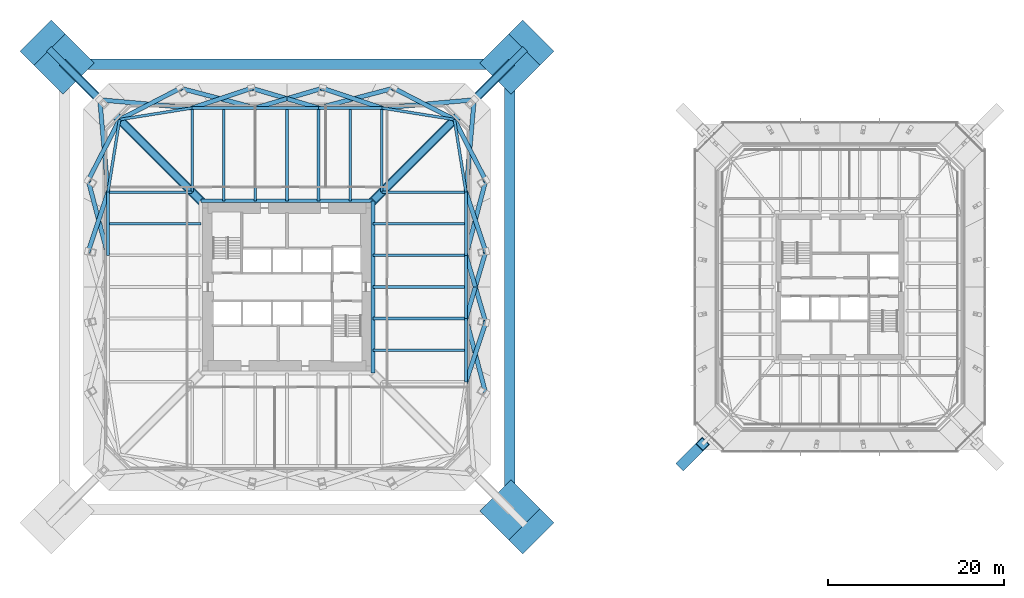
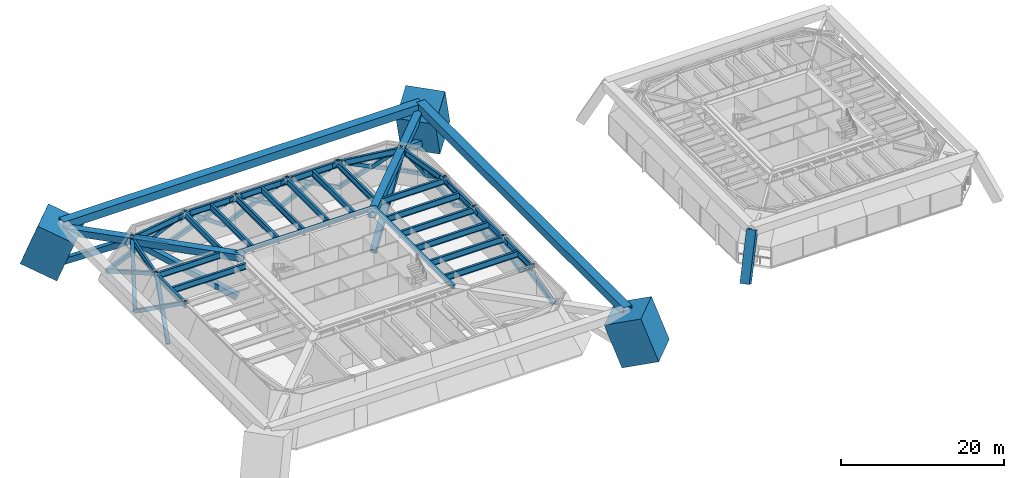
# One storey, part 3 of 16: 36 members, 28 beams.
"""IFC4 building model written with IfcOpenShell, lengths in metres."""

from ifc_helpers import new_model, si_unit, direction, frame, origin, origin_2d, place, context, subcontext, project, spatial, rectangle, hollow_rectangle, i_section, extrude, material, material_profile, profile_set, type_object, element, save


model = new_model("IFC4")

# Units and contexts
model_context = context("Model", 3, precision=1e-05, world=origin(), true_north=direction((0.0, 1.0)))
body_context = subcontext(model_context, "Body", "Model", "MODEL_VIEW")
ifc_project = project(units=[si_unit("LENGTHUNIT", "METRE"), si_unit("AREAUNIT", "SQUARE_METRE"), si_unit("VOLUMEUNIT", "CUBIC_METRE"), si_unit("PLANEANGLEUNIT", "RADIAN"), si_unit("MASSUNIT", "GRAM", prefix="KILO")], contexts=[model_context])

# Site, building, storey
site_placement = place(None, origin())
site = spatial("IfcSite", under=ifc_project, at=site_placement, CompositionType="ELEMENT")
building_placement = place(site_placement, origin())
building = spatial("IfcBuilding", under=site, at=building_placement, Name="Iwan Alto Co-Living Towers", CompositionType="ELEMENT")
storey_placement = place(building_placement, frame((0.0, 0.0, 74.5)))
storey = spatial("IfcBuildingStorey", under=building, at=storey_placement, Name="L20", CompositionType="ELEMENT", Elevation=74.5)

# Beams
ifc_material_1 = material(Name="Steel ASTM A992 Gr 50", Category="steel")
ifc_material_profile_1 = material_profile(ifc_material_1, i_section(OverallWidth=0.307373046875, OverallDepth=0.927001953125, WebThickness=0.01953125, FlangeThickness=0.031982421875, at=origin_2d()), Name="W36X194")
ifc_profile_set_1 = profile_set([ifc_material_profile_1], Name="Steel ASTM A992 Gr 50")
beam_type_1 = type_object("IfcBeamType", Name="T1 BELT TRUSS CHORD W36X194", PredefinedType="BEAM", material=ifc_profile_set_1)
beam_1_placement = place(storey_placement, frame((20.39990234375, -10.800048828125, 5.306396484375), z_axis=(0.0, 1.0, 0.0), x_axis=(-1.0, 0.0, 0.0)))
element("IfcBeam", 1, at=beam_1_placement, inside=storey, type_object=beam_type_1, Name="T1 edge beam E1 L21", PredefinedType="BEAM", context=body_context, shape_type="SweptSolid", body=[
    extrude(i_section(OverallWidth=0.307373046875, OverallDepth=0.927001953125, WebThickness=0.01953125, FlangeThickness=0.031982421875, at=origin_2d()), origin(), (0.0, 0.0, 1.0), 7.199951171875),
])
beam_2_placement = place(storey_placement, frame((20.39990234375, -3.60009765625, 5.306396484375), z_axis=(0.0, 1.0, 0.0), x_axis=(-1.0, 0.0, 0.0)))
element("IfcBeam", 2, at=beam_2_placement, inside=storey, type_object=beam_type_1, Name="T1 edge beam E2 L21", PredefinedType="BEAM", context=body_context, shape_type="SweptSolid", body=[
    extrude(i_section(OverallWidth=0.307373046875, OverallDepth=0.927001953125, WebThickness=0.01953125, FlangeThickness=0.031982421875, at=origin_2d()), origin(), (0.0, 0.0, 1.0), 7.2001953125),
])
beam_3_placement = place(storey_placement, frame((20.39990234375, 3.60009765625, 5.306396484375), z_axis=(0.0, 1.0, 0.0), x_axis=(-1.0, 0.0, 0.0)))
element("IfcBeam", 3, at=beam_3_placement, inside=storey, type_object=beam_type_1, Name="T1 edge beam E3 L21", PredefinedType="BEAM", context=body_context, shape_type="SweptSolid", body=[
    extrude(i_section(OverallWidth=0.307373046875, OverallDepth=0.927001953125, WebThickness=0.01953125, FlangeThickness=0.031982421875, at=origin_2d()), origin(), (0.0, 0.0, 1.0), 7.199951171875),
])
for number, where, z_axis, x_axis, name in (
    (4, (20.39990234375, 10.800048828125, 5.306396484375), (-0.158004134737, 0.987438450439, 0.0), (-0.987438450439, -0.158004134737, 0.0), "T1 edge beam E4 L21"),
    (5, (19.07568359375, 19.07568359375, 5.306396484375), (-0.987438450439, 0.158004134737, 0.0), (-0.158004134737, -0.987438450439, 0.0), "T1 edge beam CNE L21"),
):
    element("IfcBeam", number, at=place(storey_placement, frame(where, z_axis=z_axis, x_axis=x_axis)), inside=storey, type_object=beam_type_1, Name=name, PredefinedType="BEAM", context=body_context, shape_type="SweptSolid", body=[
        extrude(i_section(OverallWidth=0.307373046875, OverallDepth=0.927001953125, WebThickness=0.01953125, FlangeThickness=0.031982421875, at=origin_2d()), origin(), (0.0, 0.0, 1.0), 8.380859375),
    ])
beam_4_placement = place(storey_placement, frame((10.800048828125, 20.39990234375, 5.306396484375), z_axis=(-1.0, 0.0, 0.0), x_axis=(0.0, -1.0, 0.0)))
element("IfcBeam", 6, at=beam_4_placement, inside=storey, type_object=beam_type_1, Name="T1 edge beam N1 L21", PredefinedType="BEAM", context=body_context, shape_type="SweptSolid", body=[
    extrude(i_section(OverallWidth=0.307373046875, OverallDepth=0.927001953125, WebThickness=0.01953125, FlangeThickness=0.031982421875, at=origin_2d()), origin(), (0.0, 0.0, 1.0), 7.199951171875),
])
beam_5_placement = place(storey_placement, frame((3.60009765625, 20.39990234375, 5.306396484375), z_axis=(-1.0, 0.0, 0.0), x_axis=(0.0, -1.0, 0.0)))
element("IfcBeam", 7, at=beam_5_placement, inside=storey, type_object=beam_type_1, Name="T1 edge beam N2 L21", PredefinedType="BEAM", context=body_context, shape_type="SweptSolid", body=[
    extrude(i_section(OverallWidth=0.307373046875, OverallDepth=0.927001953125, WebThickness=0.01953125, FlangeThickness=0.031982421875, at=origin_2d()), origin(), (0.0, 0.0, 1.0), 7.2001953125),
])
beam_6_placement = place(storey_placement, frame((-3.60009765625, 20.39990234375, 5.306396484375), z_axis=(-1.0, 0.0, 0.0), x_axis=(0.0, -1.0, 0.0)))
element("IfcBeam", 8, at=beam_6_placement, inside=storey, type_object=beam_type_1, Name="T1 edge beam N3 L21", PredefinedType="BEAM", context=body_context, shape_type="SweptSolid", body=[
    extrude(i_section(OverallWidth=0.307373046875, OverallDepth=0.927001953125, WebThickness=0.01953125, FlangeThickness=0.031982421875, at=origin_2d()), origin(), (0.0, 0.0, 1.0), 7.199951171875),
])
for number, where, z_axis, x_axis, name in (
    (9, (-10.800048828125, 20.39990234375, 5.306396484375), (-0.987438450439, -0.158004134737, 0.0), (0.158004134737, -0.987438450439, 0.0), "T1 edge beam N4 L21"),
    (10, (-19.07568359375, 19.07568359375, 5.306396484375), (-0.158004134737, -0.987438450439, 0.0), (0.987438450439, -0.158004134737, 0.0), "T1 edge beam CNW L21"),
):
    element("IfcBeam", number, at=place(storey_placement, frame(where, z_axis=z_axis, x_axis=x_axis)), inside=storey, type_object=beam_type_1, Name=name, PredefinedType="BEAM", context=body_context, shape_type="SweptSolid", body=[
        extrude(i_section(OverallWidth=0.307373046875, OverallDepth=0.927001953125, WebThickness=0.01953125, FlangeThickness=0.031982421875, at=origin_2d()), origin(), (0.0, 0.0, 1.0), 8.380859375),
    ])
beam_7_placement = place(storey_placement, frame((-20.39990234375, 10.800048828125, 5.306396484375), z_axis=(0.0, -1.0, 0.0), x_axis=(1.0, 0.0, 0.0)))
element("IfcBeam", 11, at=beam_7_placement, inside=storey, type_object=beam_type_1, Name="T1 edge beam W1 L21", PredefinedType="BEAM", context=body_context, shape_type="SweptSolid", body=[
    extrude(i_section(OverallWidth=0.307373046875, OverallDepth=0.927001953125, WebThickness=0.01953125, FlangeThickness=0.031982421875, at=origin_2d()), origin(), (0.0, 0.0, 1.0), 7.199951171875),
])

# Members
ifc_material_2 = material(Name="Steel ASTM A572 Gr 50", Category="steel")
ifc_material_profile_2 = material_profile(ifc_material_2, hollow_rectangle(XDim=0.5, YDim=0.5, WallThickness=0.031982421875, at=origin_2d()), Name="BOX 500X500X32")
ifc_profile_set_2 = profile_set([ifc_material_profile_2], Name="Steel ASTM A572 Gr 50")
member_type_1 = type_object("IfcMemberType", Name="T1 BELT TRUSS DIAGONAL BOX 500X500X32", PredefinedType="BRACE", material=ifc_profile_set_2)
member_1_placement = place(storey_placement, frame((22.64990234375, -12.14990234375, 0.0), z_axis=(-0.213896975302, 0.812789938701, 0.54186769557), x_axis=(-0.967073106425, -0.254498736402, 0.0)))
element("IfcMember", 12, at=member_1_placement, inside=storey, type_object=member_type_1, Name="T1 belt truss diagonal E1 L20 1", PredefinedType="BRACE", context=body_context, shape_type="SweptSolid", body=[
    extrude(hollow_rectangle(XDim=0.5, YDim=0.5, WallThickness=0.031982421875, at=origin_2d()), origin(), (0.0, 0.0, 1.0), 10.51904296875),
])
member_2_placement = place(storey_placement, frame((22.64990234375, -4.050048828125, 0.0), z_axis=(-0.246799495612, -0.740398486837, 0.625220032993), x_axis=(0.948683298051, -0.316227766017, 0.0)))
element("IfcMember", 13, at=member_2_placement, inside=storey, type_object=member_type_1, Name="T1 belt truss diagonal E1 L20 2", PredefinedType="BRACE", context=body_context, shape_type="SweptSolid", body=[
    extrude(hollow_rectangle(XDim=0.5, YDim=0.5, WallThickness=0.031982421875, at=origin_2d()), origin(), (0.0, 0.0, 1.0), 9.11669921875),
])
for number, where, z_axis, x_axis, name in (
    (14, (22.64990234375, -4.050048828125, 0.0), (-0.229548000462, 0.780478146102, 0.58151661966), (-0.959366964128, -0.28216135125, 0.0), "T1 belt truss diagonal E2 L20 1"),
    (15, (22.64990234375, 4.050048828125, 0.0), (-0.229548000462, -0.780478146102, 0.58151661966), (0.959366964128, -0.28216135125, 0.0), "T1 belt truss diagonal E2 L20 2"),
):
    element("IfcMember", number, at=place(storey_placement, frame(where, z_axis=z_axis, x_axis=x_axis)), inside=storey, type_object=member_type_1, Name=name, PredefinedType="BRACE", context=body_context, shape_type="SweptSolid", body=[
        extrude(hollow_rectangle(XDim=0.5, YDim=0.5, WallThickness=0.031982421875, at=origin_2d()), origin(), (0.0, 0.0, 1.0), 9.8017578125),
    ])
member_3_placement = place(storey_placement, frame((22.64990234375, 4.050048828125, 0.0), z_axis=(-0.246799495612, 0.740398486837, 0.625220032993), x_axis=(-0.948683298051, -0.316227766017, 0.0)))
element("IfcMember", 16, at=member_3_placement, inside=storey, type_object=member_type_1, Name="T1 belt truss diagonal E3 L20 1", PredefinedType="BRACE", context=body_context, shape_type="SweptSolid", body=[
    extrude(hollow_rectangle(XDim=0.5, YDim=0.5, WallThickness=0.031982421875, at=origin_2d()), origin(), (0.0, 0.0, 1.0), 9.11669921875),
])
member_4_placement = place(storey_placement, frame((22.64990234375, 12.14990234375, 0.0), z_axis=(-0.213896975302, -0.812789938701, 0.54186769557), x_axis=(0.967073106425, -0.254498736402, 0.0)))
element("IfcMember", 17, at=member_4_placement, inside=storey, type_object=member_type_1, Name="T1 belt truss diagonal E3 L20 2", PredefinedType="BRACE", context=body_context, shape_type="SweptSolid", body=[
    extrude(hollow_rectangle(XDim=0.5, YDim=0.5, WallThickness=0.031982421875, at=origin_2d()), origin(), (0.0, 0.0, 1.0), 10.51904296875),
])
member_5_placement = place(storey_placement, frame((22.64990234375, 12.14990234375, 0.0), z_axis=(-0.370169918191, 0.717280070987, 0.590324937159), x_axis=(-0.888640424469, -0.458604618381, 0.0)))
element("IfcMember", 18, at=member_5_placement, inside=storey, type_object=member_type_1, Name="T1 belt truss diagonal E4 L20 1", PredefinedType="BRACE", context=body_context, shape_type="SweptSolid", body=[
    extrude(hollow_rectangle(XDim=0.5, YDim=0.5, WallThickness=0.031982421875, at=origin_2d()), origin(), (0.0, 0.0, 1.0), 9.655517578125),
])
for number, where, z_axis, x_axis, name in (
    (19, (21.32568359375, 21.32568359375, 0.0), (-0.077112165425, -0.876723836493, 0.474772607116), (0.996154265786, -0.087616657989, 0.0), "T1 belt truss diagonal E4 L20 2"),
    (20, (21.32568359375, 21.32568359375, 0.0), (-0.876723836493, -0.077112165425, 0.474772607116), (0.087616657989, -0.996154265786, 0.0), "T1 belt truss diagonal CNE L20 1"),
):
    element("IfcMember", number, at=place(storey_placement, frame(where, z_axis=z_axis, x_axis=x_axis)), inside=storey, type_object=member_type_1, Name=name, PredefinedType="BRACE", context=body_context, shape_type="SweptSolid", body=[
        extrude(hollow_rectangle(XDim=0.5, YDim=0.5, WallThickness=0.031982421875, at=origin_2d()), origin(), (0.0, 0.0, 1.0), 12.005615234375),
    ])
member_6_placement = place(storey_placement, frame((12.14990234375, 22.64990234375, 0.0), z_axis=(0.717280070987, -0.370169918191, 0.590324937159), x_axis=(0.458604618381, 0.888640424469, 0.0)))
element("IfcMember", 21, at=member_6_placement, inside=storey, type_object=member_type_1, Name="T1 belt truss diagonal CNE L20 2", PredefinedType="BRACE", context=body_context, shape_type="SweptSolid", body=[
    extrude(hollow_rectangle(XDim=0.5, YDim=0.5, WallThickness=0.031982421875, at=origin_2d()), origin(), (0.0, 0.0, 1.0), 9.655517578125),
])
member_7_placement = place(storey_placement, frame((12.14990234375, 22.64990234375, 0.0), z_axis=(-0.812789938701, -0.213896975302, 0.54186769557), x_axis=(0.254498736402, -0.967073106425, 0.0)))
element("IfcMember", 22, at=member_7_placement, inside=storey, type_object=member_type_1, Name="T1 belt truss diagonal N1 L20 1", PredefinedType="BRACE", context=body_context, shape_type="SweptSolid", body=[
    extrude(hollow_rectangle(XDim=0.5, YDim=0.5, WallThickness=0.031982421875, at=origin_2d()), origin(), (0.0, 0.0, 1.0), 10.51904296875),
])
member_8_placement = place(storey_placement, frame((4.050048828125, 22.64990234375, 0.0), z_axis=(0.740398486837, -0.246799495612, 0.625220032993), x_axis=(0.316227766017, 0.948683298051, 0.0)))
element("IfcMember", 23, at=member_8_placement, inside=storey, type_object=member_type_1, Name="T1 belt truss diagonal N1 L20 2", PredefinedType="BRACE", context=body_context, shape_type="SweptSolid", body=[
    extrude(hollow_rectangle(XDim=0.5, YDim=0.5, WallThickness=0.031982421875, at=origin_2d()), origin(), (0.0, 0.0, 1.0), 9.11669921875),
])
for number, where, z_axis, x_axis, name in (
    (24, (4.050048828125, 22.64990234375, 0.0), (-0.780478146102, -0.229548000462, 0.58151661966), (0.28216135125, -0.959366964128, 0.0), "T1 belt truss diagonal N2 L20 1"),
    (25, (-4.050048828125, 22.64990234375, 0.0), (0.780478146102, -0.229548000462, 0.58151661966), (0.28216135125, 0.959366964128, 0.0), "T1 belt truss diagonal N2 L20 2"),
):
    element("IfcMember", number, at=place(storey_placement, frame(where, z_axis=z_axis, x_axis=x_axis)), inside=storey, type_object=member_type_1, Name=name, PredefinedType="BRACE", context=body_context, shape_type="SweptSolid", body=[
        extrude(hollow_rectangle(XDim=0.5, YDim=0.5, WallThickness=0.031982421875, at=origin_2d()), origin(), (0.0, 0.0, 1.0), 9.8017578125),
    ])
member_9_placement = place(storey_placement, frame((-4.050048828125, 22.64990234375, 0.0), z_axis=(-0.740398486837, -0.246799495612, 0.625220032993), x_axis=(0.316227766017, -0.948683298051, 0.0)))
element("IfcMember", 26, at=member_9_placement, inside=storey, type_object=member_type_1, Name="T1 belt truss diagonal N3 L20 1", PredefinedType="BRACE", context=body_context, shape_type="SweptSolid", body=[
    extrude(hollow_rectangle(XDim=0.5, YDim=0.5, WallThickness=0.031982421875, at=origin_2d()), origin(), (0.0, 0.0, 1.0), 9.11669921875),
])
member_10_placement = place(storey_placement, frame((-12.14990234375, 22.64990234375, 0.0), z_axis=(0.812789938701, -0.213896975302, 0.54186769557), x_axis=(0.254498736402, 0.967073106425, 0.0)))
element("IfcMember", 27, at=member_10_placement, inside=storey, type_object=member_type_1, Name="T1 belt truss diagonal N3 L20 2", PredefinedType="BRACE", context=body_context, shape_type="SweptSolid", body=[
    extrude(hollow_rectangle(XDim=0.5, YDim=0.5, WallThickness=0.031982421875, at=origin_2d()), origin(), (0.0, 0.0, 1.0), 10.51904296875),
])
member_11_placement = place(storey_placement, frame((-12.14990234375, 22.64990234375, 0.0), z_axis=(-0.717280070987, -0.370169918191, 0.590324937159), x_axis=(0.458604618381, -0.888640424469, 0.0)))
element("IfcMember", 28, at=member_11_placement, inside=storey, type_object=member_type_1, Name="T1 belt truss diagonal N4 L20 1", PredefinedType="BRACE", context=body_context, shape_type="SweptSolid", body=[
    extrude(hollow_rectangle(XDim=0.5, YDim=0.5, WallThickness=0.031982421875, at=origin_2d()), origin(), (0.0, 0.0, 1.0), 9.655517578125),
])
for number, where, z_axis, x_axis, name in (
    (29, (-21.32568359375, 21.32568359375, 0.0), (0.876723836493, -0.077112165425, 0.474772607116), (0.087616657989, 0.996154265786, 0.0), "T1 belt truss diagonal N4 L20 2"),
    (30, (-21.32568359375, 21.32568359375, 0.0), (0.077112165425, -0.876723836493, 0.474772607116), (0.996154265786, 0.087616657989, 0.0), "T1 belt truss diagonal CNW L20 1"),
):
    element("IfcMember", number, at=place(storey_placement, frame(where, z_axis=z_axis, x_axis=x_axis)), inside=storey, type_object=member_type_1, Name=name, PredefinedType="BRACE", context=body_context, shape_type="SweptSolid", body=[
        extrude(hollow_rectangle(XDim=0.5, YDim=0.5, WallThickness=0.031982421875, at=origin_2d()), origin(), (0.0, 0.0, 1.0), 12.005615234375),
    ])
member_12_placement = place(storey_placement, frame((-22.64990234375, 12.14990234375, 0.0), z_axis=(0.370169918191, 0.717280070987, 0.590324937159), x_axis=(-0.888640424469, 0.458604618381, 0.0)))
element("IfcMember", 31, at=member_12_placement, inside=storey, type_object=member_type_1, Name="T1 belt truss diagonal CNW L20 2", PredefinedType="BRACE", context=body_context, shape_type="SweptSolid", body=[
    extrude(hollow_rectangle(XDim=0.5, YDim=0.5, WallThickness=0.031982421875, at=origin_2d()), origin(), (0.0, 0.0, 1.0), 9.655517578125),
])
member_13_placement = place(storey_placement, frame((-22.64990234375, 12.14990234375, 0.0), z_axis=(0.213896975302, -0.812789938701, 0.54186769557), x_axis=(0.967073106425, 0.254498736402, 0.0)))
element("IfcMember", 32, at=member_13_placement, inside=storey, type_object=member_type_1, Name="T1 belt truss diagonal W1 L20 1", PredefinedType="BRACE", context=body_context, shape_type="SweptSolid", body=[
    extrude(hollow_rectangle(XDim=0.5, YDim=0.5, WallThickness=0.031982421875, at=origin_2d()), origin(), (0.0, 0.0, 1.0), 10.51904296875),
])
member_14_placement = place(storey_placement, frame((-22.64990234375, 4.050048828125, 0.0), z_axis=(0.246799495612, 0.740398486837, 0.625220032993), x_axis=(-0.948683298051, 0.316227766017, 0.0)))
element("IfcMember", 33, at=member_14_placement, inside=storey, type_object=member_type_1, Name="T1 belt truss diagonal W1 L20 2", PredefinedType="BRACE", context=body_context, shape_type="SweptSolid", body=[
    extrude(hollow_rectangle(XDim=0.5, YDim=0.5, WallThickness=0.031982421875, at=origin_2d()), origin(), (0.0, 0.0, 1.0), 9.11669921875),
])

# Beams
ifc_material_3 = material(Name="Steel ASTM A992 Gr 50", Category="steel")
ifc_material_profile_3 = material_profile(ifc_material_3, i_section(OverallWidth=0.436767578125, OverallDepth=0.51318359375, WebThickness=0.060546875, FlangeThickness=0.096923828125, at=origin_2d()), Name="W14X550")
ifc_profile_set_3 = profile_set([ifc_material_profile_3], Name="Steel ASTM A992 Gr 50")
beam_type_2 = type_object("IfcBeamType", Name="T1 CORE LEDGER BEAM W14X550", PredefinedType="BEAM", material=ifc_profile_set_3)
for number, where, z_axis, x_axis, name in (
    (34, (9.818359375, -9.818359375, 5.513427734375), (0.0, 1.0, 0.0), (-1.0, 0.0, 0.0), "T1 core ledger beam E L21"),
    (35, (9.818359375, 9.818359375, 5.513427734375), (-1.0, 0.0, 0.0), (0.0, -1.0, 0.0), "T1 core ledger beam N L21"),
):
    element("IfcBeam", number, at=place(storey_placement, frame(where, z_axis=z_axis, x_axis=x_axis)), inside=storey, type_object=beam_type_2, Name=name, PredefinedType="BEAM", context=body_context, shape_type="SweptSolid", body=[
        extrude(i_section(OverallWidth=0.436767578125, OverallDepth=0.51318359375, WebThickness=0.060546875, FlangeThickness=0.096923828125, at=origin_2d()), origin(), (0.0, 0.0, 1.0), 19.63671875),
    ])

# Members
ifc_material_4 = material(Name="Steel ASTM A572 Gr 50", Category="steel")
ifc_material_profile_4 = material_profile(ifc_material_4, hollow_rectangle(XDim=1.199951171875, YDim=1.199951171875, WallThickness=0.070068359375, at=origin_2d()), Name="BOX 1200X1200X70")
ifc_profile_set_4 = profile_set([ifc_material_profile_4], Name="Steel ASTM A572 Gr 50")
member_type_2 = type_object("IfcMemberType", Name="T1 MEGA BELT TIE BOX 1200X1200X70", PredefinedType="STRUT", material=ifc_profile_set_4)
for number, where, z_axis, x_axis, name in (
    (36, (25.39990234375, -25.39990234375, 6.0), (0.0, 1.0, 0.0), (-1.0, 0.0, 0.0), "T1 mega belt tie E L21"),
    (37, (25.39990234375, 25.39990234375, 6.0), (-1.0, 0.0, 0.0), (0.0, -1.0, 0.0), "T1 mega belt tie N L21"),
):
    element("IfcMember", number, at=place(storey_placement, frame(where, z_axis=z_axis, x_axis=x_axis)), inside=storey, type_object=member_type_2, Name=name, PredefinedType="STRUT", context=body_context, shape_type="SweptSolid", body=[
        extrude(hollow_rectangle(XDim=1.199951171875, YDim=1.199951171875, WallThickness=0.070068359375, at=origin_2d()), origin(), (0.0, 0.0, 1.0), 50.7998046875),
    ])
ifc_material_5 = material(Name="Steel ASTM A572 Gr 50", Category="steel")
ifc_material_profile_5 = material_profile(ifc_material_5, hollow_rectangle(XDim=1.0, YDim=1.0, WallThickness=0.070068359375, at=origin_2d()), Name="BOX 1000X1000X70")
ifc_profile_set_5 = profile_set([ifc_material_profile_5], Name="Steel ASTM A572 Gr 50")
member_type_3 = type_object("IfcMemberType", Name="T1 OUTRIGGER CHORD BOX 1000X1000X70", PredefinedType="CHORD", material=ifc_profile_set_5)
member_15_placement = place(storey_placement, frame((9.0, 9.0, 5.27001953125), z_axis=(0.707106781187, 0.707106781187, 0.0), x_axis=(-0.707106781187, 0.707106781187, 0.0)))
element("IfcMember", 38, at=member_15_placement, inside=storey, type_object=member_type_3, Name="T1 outrigger NE L20 top chord 1", PredefinedType="CHORD", context=body_context, shape_type="SweptSolid", body=[
    extrude(hollow_rectangle(XDim=1.0, YDim=1.0, WallThickness=0.070068359375, at=origin_2d()), origin(), (0.0, 0.0, 1.0), 14.249267578125),
])
member_16_placement = place(storey_placement, frame((19.07568359375, 19.07568359375, 5.27001953125), z_axis=(0.707106781187, 0.707106781187, 0.0), x_axis=(-0.707106781187, 0.707106781187, 0.0)))
element("IfcMember", 39, at=member_16_placement, inside=storey, type_object=member_type_3, Name="T1 outrigger NE L20 top chord 2", PredefinedType="CHORD", context=body_context, shape_type="SweptSolid", body=[
    extrude(hollow_rectangle(XDim=1.0, YDim=1.0, WallThickness=0.070068359375, at=origin_2d()), origin(), (0.0, 0.0, 1.0), 9.21923828125),
])
member_17_placement = place(storey_placement, frame((-9.0, 9.0, 5.27001953125), z_axis=(-0.707106781187, 0.707106781187, 0.0), x_axis=(-0.707106781187, -0.707106781187, 0.0)))
element("IfcMember", 40, at=member_17_placement, inside=storey, type_object=member_type_3, Name="T1 outrigger NW L20 top chord 1", PredefinedType="CHORD", context=body_context, shape_type="SweptSolid", body=[
    extrude(hollow_rectangle(XDim=1.0, YDim=1.0, WallThickness=0.070068359375, at=origin_2d()), origin(), (0.0, 0.0, 1.0), 14.249267578125),
])
member_18_placement = place(storey_placement, frame((-19.07568359375, 19.07568359375, 5.27001953125), z_axis=(-0.707106781187, 0.707106781187, 0.0), x_axis=(-0.707106781187, -0.707106781187, 0.0)))
element("IfcMember", 41, at=member_18_placement, inside=storey, type_object=member_type_3, Name="T1 outrigger NW L20 top chord 2", PredefinedType="CHORD", context=body_context, shape_type="SweptSolid", body=[
    extrude(hollow_rectangle(XDim=1.0, YDim=1.0, WallThickness=0.070068359375, at=origin_2d()), origin(), (0.0, 0.0, 1.0), 9.21923828125),
])
ifc_material_6 = material(Name="Steel ASTM A572 Gr 42", Category="steel")
ifc_material_profile_6 = material_profile(ifc_material_6, hollow_rectangle(XDim=0.800048828125, YDim=0.800048828125, WallThickness=0.139892578125, at=origin_2d()), Name="BOX 800X800X140")
ifc_profile_set_6 = profile_set([ifc_material_profile_6], Name="Steel ASTM A572 Gr 42")
member_type_4 = type_object("IfcMemberType", Name="T1 OUTRIGGER DIAGONAL BOX 800X800X140", PredefinedType="BRACE", material=ifc_profile_set_6)
member_19_placement = place(storey_placement, frame((9.60009765625, 9.60009765625, -0.800048828125), z_axis=(0.644107258842, 0.644107258842, 0.412615654349), x_axis=(-0.707106781187, 0.707106781187, 0.0)))
element("IfcMember", 42, at=member_19_placement, inside=storey, type_object=member_type_4, Name="T1 outrigger NE L20 diagonal 1", PredefinedType="BRACE", context=body_context, shape_type="SweptSolid", body=[
    extrude(hollow_rectangle(XDim=0.800048828125, YDim=0.800048828125, WallThickness=0.139892578125, at=origin_2d()), origin(), (0.0, 0.0, 1.0), 14.711181640625),
])
member_20_placement = place(storey_placement, frame((19.07568359375, 19.07568359375, 5.27001953125), z_axis=(0.621758292076, 0.621758292076, -0.476270146524), x_axis=(-0.707106781187, 0.707106781187, 0.0)))
element("IfcMember", 43, at=member_20_placement, inside=storey, type_object=member_type_4, Name="T1 outrigger NE L20 diagonal 2", PredefinedType="BRACE", context=body_context, shape_type="SweptSolid", body=[
    extrude(hollow_rectangle(XDim=0.800048828125, YDim=0.800048828125, WallThickness=0.139892578125, at=origin_2d()), origin(), (0.0, 0.0, 1.0), 12.7451171875),
])
member_21_placement = place(storey_placement, frame((-9.60009765625, 9.60009765625, -0.800048828125), z_axis=(-0.644107258842, 0.644107258842, 0.412615654349), x_axis=(-0.707106781187, -0.707106781187, 0.0)))
element("IfcMember", 44, at=member_21_placement, inside=storey, type_object=member_type_4, Name="T1 outrigger NW L20 diagonal 1", PredefinedType="BRACE", context=body_context, shape_type="SweptSolid", body=[
    extrude(hollow_rectangle(XDim=0.800048828125, YDim=0.800048828125, WallThickness=0.139892578125, at=origin_2d()), origin(), (0.0, 0.0, 1.0), 14.711181640625),
])
member_22_placement = place(storey_placement, frame((-19.07568359375, 19.07568359375, 5.27001953125), z_axis=(-0.621758292076, 0.621758292076, -0.476270146524), x_axis=(-0.707106781187, -0.707106781187, 0.0)))
element("IfcMember", 45, at=member_22_placement, inside=storey, type_object=member_type_4, Name="T1 outrigger NW L20 diagonal 2", PredefinedType="BRACE", context=body_context, shape_type="SweptSolid", body=[
    extrude(hollow_rectangle(XDim=0.800048828125, YDim=0.800048828125, WallThickness=0.139892578125, at=origin_2d()), origin(), (0.0, 0.0, 1.0), 12.7451171875),
])

# Beams
ifc_material_7 = material(Name="Steel ASTM A992 Gr 50", Category="steel")
ifc_material_profile_7 = material_profile(ifc_material_7, i_section(OverallWidth=0.307373046875, OverallDepth=0.927001953125, WebThickness=0.01953125, FlangeThickness=0.031982421875, at=origin_2d()), Name="W36X194")
ifc_profile_set_7 = profile_set([ifc_material_profile_7], Name="Steel ASTM A992 Gr 50")
beam_type_3 = type_object("IfcBeamType", Name="T1 RADIAL BEAM W36X194", PredefinedType="BEAM", material=ifc_profile_set_7)
for number, where, z_axis, x_axis, name in (
    (46, (20.39990234375, -3.60009765625, 5.306396484375), (-1.0, 0.0, 0.0), (0.0, -1.0, 0.0), "T1 radial beam E2 L21"),
    (47, (20.39990234375, 3.60009765625, 5.306396484375), (-1.0, 0.0, 0.0), (0.0, -1.0, 0.0), "T1 radial beam E3 L21"),
):
    element("IfcBeam", number, at=place(storey_placement, frame(where, z_axis=z_axis, x_axis=x_axis)), inside=storey, type_object=beam_type_3, Name=name, PredefinedType="BEAM", context=body_context, shape_type="SweptSolid", body=[
        extrude(i_section(OverallWidth=0.307373046875, OverallDepth=0.927001953125, WebThickness=0.01953125, FlangeThickness=0.031982421875, at=origin_2d()), origin(), (0.0, 0.0, 1.0), 10.58154296875),
    ])
for number, where, z_axis, x_axis, name in (
    (48, (20.39990234375, 10.800048828125, 5.306396484375), (-1.0, 0.0, 0.0), (0.0, -1.0, 0.0), "T1 radial beam E4 L21"),
    (49, (10.800048828125, 20.39990234375, 5.306396484375), (0.0, -1.0, 0.0), (1.0, 0.0, 0.0), "T1 radial beam N1 L21"),
):
    element("IfcBeam", number, at=place(storey_placement, frame(where, z_axis=z_axis, x_axis=x_axis)), inside=storey, type_object=beam_type_3, Name=name, PredefinedType="BEAM", context=body_context, shape_type="SweptSolid", body=[
        extrude(i_section(OverallWidth=0.307373046875, OverallDepth=0.927001953125, WebThickness=0.01953125, FlangeThickness=0.031982421875, at=origin_2d()), origin(), (0.0, 0.0, 1.0), 9.599853515625),
    ])
for number, where, z_axis, x_axis, name in (
    (50, (3.60009765625, 20.39990234375, 5.306396484375), (0.0, -1.0, 0.0), (1.0, 0.0, 0.0), "T1 radial beam N2 L21"),
    (51, (-3.60009765625, 20.39990234375, 5.306396484375), (0.0, -1.0, 0.0), (1.0, 0.0, 0.0), "T1 radial beam N3 L21"),
):
    element("IfcBeam", number, at=place(storey_placement, frame(where, z_axis=z_axis, x_axis=x_axis)), inside=storey, type_object=beam_type_3, Name=name, PredefinedType="BEAM", context=body_context, shape_type="SweptSolid", body=[
        extrude(i_section(OverallWidth=0.307373046875, OverallDepth=0.927001953125, WebThickness=0.01953125, FlangeThickness=0.031982421875, at=origin_2d()), origin(), (0.0, 0.0, 1.0), 10.58154296875),
    ])
for number, where, z_axis, x_axis, name in (
    (52, (-10.800048828125, 20.39990234375, 5.306396484375), (0.0, -1.0, 0.0), (1.0, 0.0, 0.0), "T1 radial beam N4 L21"),
    (53, (-20.39990234375, 10.800048828125, 5.306396484375), (1.0, 0.0, 0.0), (0.0, 1.0, 0.0), "T1 radial beam W1 L21"),
):
    element("IfcBeam", number, at=place(storey_placement, frame(where, z_axis=z_axis, x_axis=x_axis)), inside=storey, type_object=beam_type_3, Name=name, PredefinedType="BEAM", context=body_context, shape_type="SweptSolid", body=[
        extrude(i_section(OverallWidth=0.307373046875, OverallDepth=0.927001953125, WebThickness=0.01953125, FlangeThickness=0.031982421875, at=origin_2d()), origin(), (0.0, 0.0, 1.0), 9.599853515625),
    ])

# Members
ifc_material_8 = material(Name="Concrete f'c 70 MPa", Category="concrete")
ifc_material_profile_8 = material_profile(ifc_material_8, rectangle(XDim=5.0, YDim=5.0, at=origin_2d()), Name="RC 5000X5000")
ifc_profile_set_8 = profile_set([ifc_material_profile_8], Name="Concrete f'c 70 MPa")
member_type_5 = type_object("IfcMemberType", Name="T1 RAKING MEGA COLUMN RC 5000X5000", PredefinedType="MEMBER", material=ifc_profile_set_8)
for number, where, z_axis, x_axis, name in (
    (54, (27.0, -27.0, 0.0), (-0.249526477315, 0.249526477315, 0.93566718134), (-0.707106781187, -0.707106781187, 0.0), "T1 raking mega column SE L20"),
    (55, (27.0, 27.0, 0.0), (-0.249526477315, -0.249526477315, 0.93566718134), (0.707106781187, -0.707106781187, 0.0), "T1 raking mega column NE L20"),
    (56, (-27.0, 27.0, 0.0), (0.249526477315, -0.249526477315, 0.93566718134), (0.707106781187, 0.707106781187, 0.0), "T1 raking mega column NW L20"),
):
    element("IfcMember", number, at=place(storey_placement, frame(where, z_axis=z_axis, x_axis=x_axis)), inside=storey, type_object=member_type_5, Name=name, PredefinedType="MEMBER", context=body_context, shape_type="SweptSolid", body=[
        extrude(rectangle(XDim=5.0, YDim=5.0, at=origin_2d()), origin(), (0.0, 0.0, 1.0), 6.41259765625),
        extrude(i_section(OverallWidth=0.4775390625, OverallDepth=0.599365234375, WebThickness=0.10009765625, FlangeThickness=0.139892578125, at=origin_2d()), origin(), (0.0, 0.0, 1.0), 6.41259765625),
    ])

# Beams
ifc_material_9 = material(Name="Steel ASTM A992 Gr 50", Category="steel")
ifc_material_profile_9 = material_profile(ifc_material_9, i_section(OverallWidth=0.307373046875, OverallDepth=0.927001953125, WebThickness=0.01953125, FlangeThickness=0.031982421875, at=origin_2d()), Name="W36X194")
ifc_profile_set_9 = profile_set([ifc_material_profile_9], Name="Steel ASTM A992 Gr 50")
beam_type_4 = type_object("IfcBeamType", Name="T1 SECONDARY BEAM W36X194", PredefinedType="JOIST", material=ifc_profile_set_9)
for number, where, z_axis, x_axis, name in (
    (57, (20.39990234375, -7.199951171875, 5.306396484375), (-1.0, 0.0, 0.0), (0.0, -1.0, 0.0), "T1 secondary beam E1 L21"),
    (58, (20.39990234375, 0.0, 5.306396484375), (-1.0, 0.0, 0.0), (0.0, -1.0, 0.0), "T1 secondary beam E2 L21"),
    (59, (20.39990234375, 7.199951171875, 5.306396484375), (-1.0, 0.0, 0.0), (0.0, -1.0, 0.0), "T1 secondary beam E3 L21"),
    (60, (7.199951171875, 20.39990234375, 5.306396484375), (0.0, -1.0, 0.0), (1.0, 0.0, 0.0), "T1 secondary beam N1 L21"),
    (61, (0.0, 20.39990234375, 5.306396484375), (0.0, -1.0, 0.0), (1.0, 0.0, 0.0), "T1 secondary beam N2 L21"),
    (62, (-7.199951171875, 20.39990234375, 5.306396484375), (0.0, -1.0, 0.0), (1.0, 0.0, 0.0), "T1 secondary beam N3 L21"),
    (63, (-20.39990234375, 7.199951171875, 5.306396484375), (1.0, 0.0, 0.0), (0.0, 1.0, 0.0), "T1 secondary beam W1 L21"),
):
    element("IfcBeam", number, at=place(storey_placement, frame(where, z_axis=z_axis, x_axis=x_axis)), inside=storey, type_object=beam_type_4, Name=name, PredefinedType="JOIST", context=body_context, shape_type="SweptSolid", body=[
        extrude(i_section(OverallWidth=0.307373046875, OverallDepth=0.927001953125, WebThickness=0.01953125, FlangeThickness=0.031982421875, at=origin_2d()), origin(), (0.0, 0.0, 1.0), 10.58154296875),
    ])

# Member
ifc_material_10 = material(Name="Steel ASTM A572 Gr 50", Category="steel")
ifc_material_profile_10 = material_profile(ifc_material_10, hollow_rectangle(XDim=1.199951171875, YDim=1.199951171875, WallThickness=0.070068359375, at=origin_2d()), Name="BOX 1200X1200X70")
ifc_profile_set_10 = profile_set([ifc_material_profile_10], Name="Steel ASTM A572 Gr 50")
member_type_6 = type_object("IfcMemberType", Name="T2 RAKING MEGA COLUMN BOX 1200X1200X70", PredefinedType="MEMBER", material=ifc_profile_set_10)
member_23_placement = place(storey_placement, frame((45.10009765625, -20.14990234375, 0.0), z_axis=(0.331294578225, 0.331294578225, 0.883452208599), x_axis=(-0.707106781187, 0.707106781187, 0.0)))
element("IfcMember", 64, at=member_23_placement, inside=storey, type_object=member_type_6, Name="T2 raking mega column SW L20", PredefinedType="MEMBER", context=body_context, shape_type="SweptSolid", body=[
    extrude(hollow_rectangle(XDim=1.199951171875, YDim=1.199951171875, WallThickness=0.070068359375, at=origin_2d()), origin(), (0.0, 0.0, 1.0), 6.79150390625),
])

save(model, "model.ifc")
